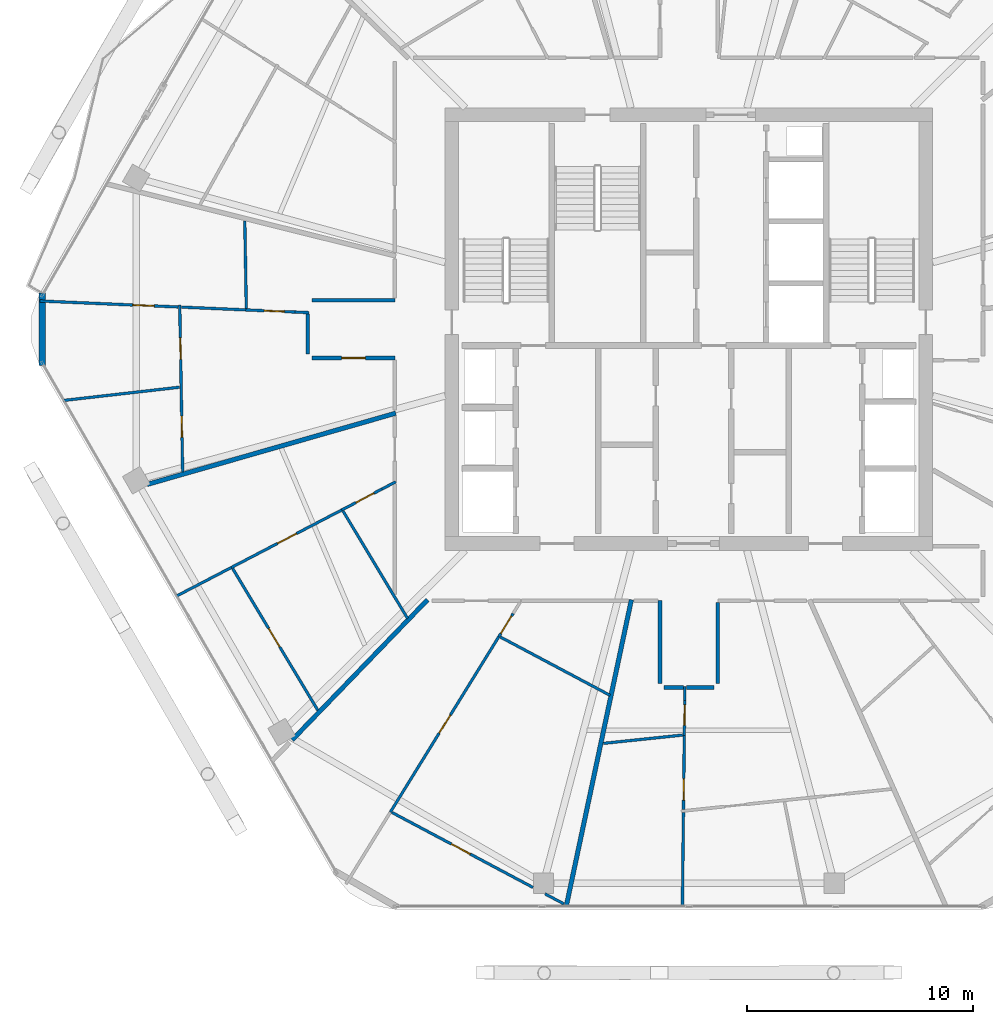
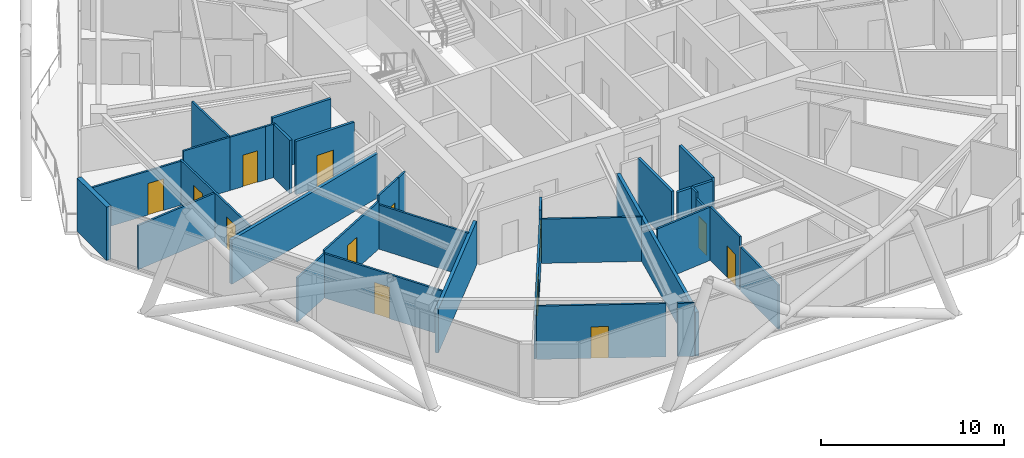
# One storey, part 20 of 29: 34 walls, 13 doors, 13 openings.
"""IFC4 building model written with IfcOpenShell, lengths in metres."""

from ifc_helpers import new_model, si_unit, direction, frame, frame_2d, origin, place, context, subcontext, project, spatial, rectangle, extrude, material, layer, layer_set, type_object, element, fill, save


model = new_model("IFC4")

# Units and contexts
model_context = context("Model", 3, precision=1e-05, world=origin(), true_north=direction((0.0, 1.0)))
body_context = subcontext(model_context, "Body", "Model", "MODEL_VIEW")
ifc_project = project(units=[si_unit("LENGTHUNIT", "METRE"), si_unit("AREAUNIT", "SQUARE_METRE"), si_unit("VOLUMEUNIT", "CUBIC_METRE"), si_unit("PLANEANGLEUNIT", "RADIAN"), si_unit("MASSUNIT", "GRAM", prefix="KILO")], contexts=[model_context])

# Site, building, storey
site_placement = place(None, origin())
site = spatial("IfcSite", under=ifc_project, at=site_placement, CompositionType="ELEMENT")
building_placement = place(site_placement, origin())
building = spatial("IfcBuilding", under=site, at=building_placement, Name="Zuhravey Tower", CompositionType="ELEMENT")
storey_placement = place(building_placement, frame((0.0, 0.0, 246.39990234375)))
storey = spatial("IfcBuildingStorey", under=building, at=storey_placement, Name="L62", CompositionType="ELEMENT", Elevation=246.39990234375)

# Wall, opening, door
ifc_material_1 = material(Name="Gypsum fire-rated stud partition")
ifc_layer_1 = layer(ifc_material_1, 0.159912109375)
ifc_layer_set_1 = layer_set([ifc_layer_1], Name="Gypsum fire-rated stud partition")
wall_type_1 = type_object("IfcWallType", Name="Corridor Fire Partition 160", PredefinedType="PARTITIONING", material=ifc_layer_set_1)
wall_1_placement = place(storey_placement, frame((19.300048828125, 30.719970703125, 0.0), z_axis=(0.0, 0.0, 1.0), x_axis=(1.0, 0.0, 0.0)))
wall_1 = element("IfcWall", 1, at=wall_1_placement, inside=storey, type_object=wall_type_1, Name="L62 IW16 Partition 034", PredefinedType="PARTITIONING", context=body_context, shape_type="SweptSolid", body=[
    extrude(rectangle(XDim=3.669921875, YDim=0.159912109375, at=frame_2d((1.8349609375, 0.0))), origin(), (0.0, 0.0, 1.0), 3.550048828125),
])
opening_1_placement = place(wall_1_placement, frame((1.31005859375, 0.0, 0.0)))
opening_1 = element("IfcOpeningElement", 2, at=opening_1_placement, cuts=wall_1, Name="Opening APD1", PredefinedType="OPENING", context=body_context, shape_type="SweptSolid", body=[
    extrude(rectangle(XDim=1.050048828125, YDim=2.14990234375, at=frame_2d((0.52490234375, 1.074951171875))), frame((0.0, 0.092041015625, 0.0), z_axis=(0.0, -1.0, 0.0), x_axis=(1.0, 0.0, 0.0)), (0.0, 0.0, 1.0), 0.183837890625),
])
ifc_material_2 = material(Name="Solid-core oak fire-rated leaf")
door_type_1 = type_object("IfcDoorType", Name="Apartment Entrance Fire Door 1050x2150", OperationType="NOTDEFINED", PredefinedType="DOOR", material=ifc_material_2)
door_1_placement = place(opening_1_placement, frame((1.050048828125, 0.0, 0.0), z_axis=(0.0, 0.0, 1.0), x_axis=(-1.0, 0.0, 0.0)))
door_1 = element("IfcDoor", 3, at=door_1_placement, inside=storey, type_object=door_type_1, Name="L62 Door 034.1", OperationType="SINGLE_SWING_LEFT", OverallHeight=2.14990234375, OverallWidth=1.050048828125, PredefinedType="DOOR", context=body_context, shape_type="SweptSolid", body=[
    extrude(rectangle(XDim=1.050048828125, YDim=2.14990234375, at=frame_2d((0.52490234375, 1.074951171875))), frame((0.0, 0.02490234375, 0.0), z_axis=(0.0, -1.0, 0.0), x_axis=(1.0, 0.0, 0.0)), (0.0, 0.0, 1.0), 0.050048828125),
])
fill(opening_1, door_1)

# Walls
wall_2_placement = place(storey_placement, frame((19.1201171875, 32.6630859375, 0.0), z_axis=(0.0, 0.0, 1.0), x_axis=(0.0, -1.0, 0.0)))
element("IfcWall", 4, at=wall_2_placement, inside=storey, type_object=wall_type_1, Name="L62 IW16 Partition 125", PredefinedType="PARTITIONING", context=body_context, shape_type="SweptSolid", body=[
    extrude(rectangle(XDim=1.76318359375, YDim=0.159912109375, at=frame_2d((0.881591796875, 0.0))), origin(), (0.0, 0.0, 1.0), 3.550048828125),
])
wall_3_placement = place(storey_placement, frame((22.969970703125, 33.280029296875, 0.0), z_axis=(0.0, 0.0, 1.0), x_axis=(-1.0, 0.0, 0.0)))
element("IfcWall", 5, at=wall_3_placement, inside=storey, type_object=wall_type_1, Name="L62 IW16 Partition 126", PredefinedType="PARTITIONING", context=body_context, shape_type="SweptSolid", body=[
    extrude(rectangle(XDim=3.669921875, YDim=0.159912109375, at=frame_2d((1.8349609375, 0.0))), origin(), (0.0, 0.0, 1.0), 3.550048828125),
])
wall_4_placement = place(storey_placement, frame((37.280029296875, 16.300048828125, 0.0), z_axis=(0.0, 0.0, 1.0), x_axis=(0.0, 1.0, 0.0)))
element("IfcWall", 6, at=wall_4_placement, inside=storey, type_object=wall_type_1, Name="L62 IW16 Partition 130", PredefinedType="PARTITIONING", context=body_context, shape_type="SweptSolid", body=[
    extrude(rectangle(XDim=3.58203125, YDim=0.159912109375, at=frame_2d((1.791015625, 0.0))), origin(), (0.0, 0.0, 1.0), 3.550048828125),
])
wall_5_placement = place(storey_placement, frame((35.8876953125, 16.1201171875, 0.0), z_axis=(0.0, 0.0, 1.0), x_axis=(1.0, 0.0, 0.0)))
element("IfcWall", 7, at=wall_5_placement, inside=storey, type_object=wall_type_1, Name="L62 IW16 Partition 131", PredefinedType="PARTITIONING", context=body_context, shape_type="SweptSolid", body=[
    extrude(rectangle(XDim=1.21240234375, YDim=0.159912109375, at=frame_2d((0.606201171875, 0.0))), origin(), (0.0, 0.0, 1.0), 3.550048828125),
])
wall_6_placement = place(storey_placement, frame((34.719970703125, 19.969970703125, 0.0), z_axis=(0.0, 0.0, 1.0), x_axis=(0.0, -1.0, 0.0)))
element("IfcWall", 8, at=wall_6_placement, inside=storey, type_object=wall_type_1, Name="L62 IW16 Partition 132", PredefinedType="PARTITIONING", context=body_context, shape_type="SweptSolid", body=[
    extrude(rectangle(XDim=3.669921875, YDim=0.159912109375, at=frame_2d((1.8349609375, 0.0))), origin(), (0.0, 0.0, 1.0), 3.550048828125),
])
wall_7_placement = place(storey_placement, frame((34.89990234375, 16.1201171875, 0.0), z_axis=(0.0, 0.0, 1.0), x_axis=(1.0, 0.0, 0.0)))
element("IfcWall", 9, at=wall_7_placement, inside=storey, type_object=wall_type_1, Name="L62 IW16 Partition 134", PredefinedType="PARTITIONING", context=body_context, shape_type="SweptSolid", body=[
    extrude(rectangle(XDim=0.851806640625, YDim=0.159912109375, at=frame_2d((0.42578125, 0.0))), origin(), (0.0, 0.0, 1.0), 3.550048828125),
])
ifc_material_3 = material(Name="Precast concrete C40/50", Category="concrete")
ifc_layer_2 = layer(ifc_material_3, 0.280029296875)
ifc_layer_set_2 = layer_set([ifc_layer_2], Name="Precast concrete C40/50")
wall_type_2 = type_object("IfcWallType", Name="Crown Architectural Wall 280", PredefinedType="SOLIDWALL", material=ifc_layer_set_2)
wall_8_placement = place(storey_placement, frame((7.35498046875, 30.392578125, 0.0), z_axis=(0.0, 0.0, 1.0), x_axis=(0.0, 1.0, 0.0)))
element("IfcWall", 10, at=wall_8_placement, inside=storey, type_object=wall_type_2, Name="L62 Rounded Corner Closure Wall EW28-06", PredefinedType="SOLIDWALL", context=body_context, shape_type="SweptSolid", body=[
    extrude(rectangle(XDim=3.21484375, YDim=0.280029296875, at=frame_2d((1.607421875, 0.0))), origin(), (0.0, 0.0, 1.0), 3.550048828125),
])
ifc_material_4 = material(Name="Gypsum double-stud party assembly")
ifc_layer_3 = layer(ifc_material_4, 0.199951171875)
ifc_layer_set_3 = layer_set([ifc_layer_3], Name="Gypsum double-stud party assembly")
wall_type_3 = type_object("IfcWallType", Name="Inter-Tenancy Party Wall 200", PredefinedType="PARTITIONING", material=ifc_layer_set_3)
wall_9_placement = place(storey_placement, frame((23.010009765625, 28.275146484375, 0.0), z_axis=(0.0, 0.0, 1.0), x_axis=(-0.961263244987, -0.275631953585, 0.0)))
element("IfcWall", 11, at=wall_9_placement, inside=storey, type_object=wall_type_3, Name="L62 IW20 Partition 086", PredefinedType="PARTITIONING", context=body_context, shape_type="SweptSolid", body=[
    extrude(rectangle(XDim=11.46875, YDim=0.199951171875, at=frame_2d((5.734375, 0.0))), origin(), (0.0, 0.0, 1.0), 2.9501953125),
])
wall_10_placement = place(storey_placement, frame((24.42138671875, 20.010009765625, 0.0), z_axis=(0.0, 0.0, 1.0), x_axis=(-0.694650551067, -0.719347351355, 0.0)))
element("IfcWall", 12, at=wall_10_placement, inside=storey, type_object=wall_type_3, Name="L62 IW20 Partition 090", PredefinedType="PARTITIONING", context=body_context, shape_type="SweptSolid", body=[
    extrude(rectangle(XDim=8.630126953125, YDim=0.199951171875, at=frame_2d((4.31494140625, 0.0))), origin(), (0.0, 0.0, 1.0), 2.93017578125),
])
wall_11_placement = place(storey_placement, frame((33.451416015625, 20.010009765625, 0.0), z_axis=(0.0, 0.0, 1.0), x_axis=(-0.207899576005, -0.978150175738, 0.0)))
element("IfcWall", 13, at=wall_11_placement, inside=storey, type_object=wall_type_3, Name="L62 IW20 Partition 096", PredefinedType="PARTITIONING", context=body_context, shape_type="SweptSolid", body=[
    extrude(rectangle(XDim=13.876953125, YDim=0.199951171875, at=frame_2d((6.9384765625, 0.0))), origin(), (0.0, 0.0, 1.0), 2.93017578125),
])

# Wall, openings, doors
ifc_material_5 = material(Name="Gypsum metal-stud partition")
ifc_layer_4 = layer(ifc_material_5, 0.1201171875)
ifc_layer_set_4 = layer_set([ifc_layer_4], Name="Gypsum metal-stud partition")
wall_type_4 = type_object("IfcWallType", Name="Unit Internal Partition 120", PredefinedType="PARTITIONING", material=ifc_layer_set_4)
wall_12_placement = place(storey_placement, frame((13.440185546875, 33.0771484375, 0.0), z_axis=(0.0, 0.0, 1.0), x_axis=(0.01747984643, -0.999847215813, 0.0)))
wall_12 = element("IfcWall", 14, at=wall_12_placement, inside=storey, type_object=wall_type_4, Name="L62 IW12 Partition 030", PredefinedType="PARTITIONING", context=body_context, shape_type="SweptSolid", body=[
    extrude(rectangle(XDim=7.402587890625, YDim=0.1201171875, at=frame_2d((3.701171875, 0.0))), origin(), (0.0, 0.0, 1.0), 2.9501953125),
])
opening_2_placement = place(wall_12_placement, frame((1.468017578125, 0.0, 0.0)))
opening_2 = element("IfcOpeningElement", 15, at=opening_2_placement, cuts=wall_12, Name="Opening IND1", PredefinedType="OPENING", context=body_context, shape_type="SweptSolid", body=[
    extrude(rectangle(XDim=0.949951171875, YDim=2.10009765625, at=frame_2d((0.47509765625, 1.050048828125))), frame((0.0, 0.072021484375, 0.0), z_axis=(0.0, -1.0, 0.0), x_axis=(1.0, 0.0, 0.0)), (0.0, 0.0, 1.0), 0.14404296875),
])
opening_3_placement = place(wall_12_placement, frame((4.9287109375, 0.0, 0.0)))
opening_3 = element("IfcOpeningElement", 16, at=opening_3_placement, cuts=wall_12, Name="Opening IND1", PredefinedType="OPENING", context=body_context, shape_type="SweptSolid", body=[
    extrude(rectangle(XDim=0.949951171875, YDim=2.10009765625, at=frame_2d((0.47509765625, 1.050048828125))), frame((0.0, 0.072021484375, 0.0), z_axis=(0.0, -1.0, 0.0), x_axis=(1.0, 0.0, 0.0)), (0.0, 0.0, 1.0), 0.14404296875),
])
ifc_material_6 = material(Name="Painted engineered timber leaf", Category="wood")
door_type_2 = type_object("IfcDoorType", Name="Internal Room & Bedroom Door 950x2100", OperationType="NOTDEFINED", PredefinedType="DOOR", material=ifc_material_6)
door_2_placement = place(opening_2_placement, frame((0.949951171875, 0.0, 0.0), z_axis=(0.0, 0.0, 1.0), x_axis=(-1.0, 0.0, 0.0)))
door_2 = element("IfcDoor", 17, at=door_2_placement, inside=storey, type_object=door_type_2, Name="Apartment L62-03 Family Study Door", OperationType="SINGLE_SWING_LEFT", OverallHeight=2.10009765625, OverallWidth=0.949951171875, PredefinedType="DOOR", context=body_context, shape_type="SweptSolid", body=[
    extrude(rectangle(XDim=0.949951171875, YDim=2.10009765625, at=frame_2d((0.47509765625, 1.050048828125))), frame((0.0, 0.02490234375, 0.0), z_axis=(0.0, -1.0, 0.0), x_axis=(1.0, 0.0, 0.0)), (0.0, 0.0, 1.0), 0.050048828125),
])
fill(opening_2, door_2)
door_3_placement = place(opening_3_placement, frame((0.949951171875, 0.0, 0.0), z_axis=(0.0, 0.0, 1.0), x_axis=(-1.0, 0.0, 0.0)))
door_3 = element("IfcDoor", 18, at=door_3_placement, inside=storey, type_object=door_type_2, Name="Apartment L62-03 Dining Room Door", OperationType="SINGLE_SWING_RIGHT", OverallHeight=2.10009765625, OverallWidth=0.949951171875, PredefinedType="DOOR", context=body_context, shape_type="SweptSolid", body=[
    extrude(rectangle(XDim=0.949951171875, YDim=2.10009765625, at=frame_2d((0.47509765625, 1.050048828125))), frame((0.0, 0.02490234375, 0.0), z_axis=(0.0, -1.0, 0.0), x_axis=(1.0, 0.0, 0.0)), (0.0, 0.0, 1.0), 0.050048828125),
])
fill(opening_3, door_3)

# Wall, opening, door
wall_13_placement = place(storey_placement, frame((18.550048828125, 32.755859375, 0.0), z_axis=(0.0, 0.0, 1.0), x_axis=(-0.999065825158, 0.04321431478, 0.0)))
wall_13 = element("IfcWall", 19, at=wall_13_placement, inside=storey, type_object=wall_type_4, Name="L62 IW12 Partition 031", PredefinedType="PARTITIONING", context=body_context, shape_type="SweptSolid", body=[
    extrude(rectangle(XDim=2.186279296875, YDim=0.1201171875, at=frame_2d((1.09326171875, 0.0))), origin(), (0.0, 0.0, 1.0), 3.550048828125),
])
opening_4_placement = place(wall_13_placement, frame((0.46826171875, 0.0, 0.0)))
opening_4 = element("IfcOpeningElement", 20, at=opening_4_placement, cuts=wall_13, Name="Opening WCD1", PredefinedType="OPENING", context=body_context, shape_type="SweptSolid", body=[
    extrude(rectangle(XDim=0.89990234375, YDim=2.10009765625, at=frame_2d((0.449951171875, 1.050048828125))), frame((0.0, 0.072021484375, 0.0), z_axis=(0.0, -1.0, 0.0), x_axis=(1.0, 0.0, 0.0)), (0.0, 0.0, 1.0), 0.14404296875),
])
ifc_material_7 = material(Name="Moisture-resistant timber leaf", Category="wood")
door_type_3 = type_object("IfcDoorType", Name="Bathroom & WC Internal Door 900x2100", OperationType="NOTDEFINED", PredefinedType="DOOR", material=ifc_material_7)
door_4_placement = place(opening_4_placement, frame((0.89990234375, 0.0, 0.0), z_axis=(0.0, 0.0, 1.0), x_axis=(-1.0, 0.0, 0.0)))
door_4 = element("IfcDoor", 21, at=door_4_placement, inside=storey, type_object=door_type_3, Name="Apartment L62-03 Bathroom Door", OperationType="SINGLE_SWING_LEFT", OverallHeight=2.10009765625, OverallWidth=0.89990234375, PredefinedType="DOOR", context=body_context, shape_type="SweptSolid", body=[
    extrude(rectangle(XDim=0.89990234375, YDim=2.10009765625, at=frame_2d((0.449951171875, 1.050048828125))), frame((0.0, 0.02490234375, 0.0), z_axis=(0.0, -1.0, 0.0), x_axis=(1.0, 0.0, 0.0)), (0.0, 0.0, 1.0), 0.050048828125),
])
fill(opening_4, door_4)

# Wall
wall_14_placement = place(storey_placement, frame((16.36572265625, 32.850341796875, 0.0), z_axis=(0.0, 0.0, 1.0), x_axis=(-0.999061951001, 0.043303788079, 0.0)))
element("IfcWall", 22, at=wall_14_placement, inside=storey, type_object=wall_type_4, Name="L62 IW12 Partition 032", PredefinedType="PARTITIONING", context=body_context, shape_type="SweptSolid", body=[
    extrude(rectangle(XDim=2.8583984375, YDim=0.1201171875, at=frame_2d((1.42919921875, 0.0))), origin(), (0.0, 0.0, 1.0), 3.550048828125),
])

# Wall, opening, door
wall_15_placement = place(storey_placement, frame((13.3740234375, 32.97998046875, 0.0), z_axis=(0.0, 0.0, 1.0), x_axis=(-0.999064479772, 0.043245407351, 0.0)))
wall_15 = element("IfcWall", 23, at=wall_15_placement, inside=storey, type_object=wall_type_4, Name="L62 IW12 Partition 033", PredefinedType="PARTITIONING", context=body_context, shape_type="SweptSolid", body=[
    extrude(rectangle(XDim=6.130859375, YDim=0.1201171875, at=frame_2d((3.0654296875, 0.0))), origin(), (0.0, 0.0, 1.0), 2.93017578125),
])
opening_5_placement = place(wall_15_placement, frame((1.068115234375, 0.0, 0.0)))
opening_5 = element("IfcOpeningElement", 24, at=opening_5_placement, cuts=wall_15, Name="Opening IND1", PredefinedType="OPENING", context=body_context, shape_type="SweptSolid", body=[
    extrude(rectangle(XDim=0.949951171875, YDim=2.10009765625, at=frame_2d((0.47509765625, 1.050048828125))), frame((0.0, 0.072021484375, 0.0), z_axis=(0.0, -1.0, 0.0), x_axis=(1.0, 0.0, 0.0)), (0.0, 0.0, 1.0), 0.14404296875),
])
door_5_placement = place(opening_5_placement, frame((0.949951171875, 0.0, 0.0), z_axis=(0.0, 0.0, 1.0), x_axis=(-1.0, 0.0, 0.0)))
door_5 = element("IfcDoor", 25, at=door_5_placement, inside=storey, type_object=door_type_2, Name="Apartment L62-03 Kitchen Door", OperationType="SINGLE_SWING_RIGHT", OverallHeight=2.10009765625, OverallWidth=0.949951171875, PredefinedType="DOOR", context=body_context, shape_type="SweptSolid", body=[
    extrude(rectangle(XDim=0.949951171875, YDim=2.10009765625, at=frame_2d((0.47509765625, 1.050048828125))), frame((0.0, 0.02490234375, 0.0), z_axis=(0.0, -1.0, 0.0), x_axis=(1.0, 0.0, 0.0)), (0.0, 0.0, 1.0), 0.050048828125),
])
fill(opening_5, door_5)

wall_16_placement = place(storey_placement, frame((22.39990234375, 24.914306640625, 0.0), z_axis=(0.0, 0.0, 1.0), x_axis=(-0.886792724396, -0.462167354926, 0.0)))
wall_16 = element("IfcWall", 26, at=wall_16_placement, inside=storey, type_object=wall_type_4, Name="L62 IW12 Partition 035", PredefinedType="PARTITIONING", context=body_context, shape_type="SweptSolid", body=[
    extrude(rectangle(XDim=2.009521484375, YDim=0.1201171875, at=frame_2d((1.0048828125, 0.0))), origin(), (0.0, 0.0, 1.0), 3.550048828125),
])
opening_6_placement = place(wall_16_placement, frame((0.39404296875, 0.0, 0.0)))
opening_6 = element("IfcOpeningElement", 27, at=opening_6_placement, cuts=wall_16, Name="Opening WCD1", PredefinedType="OPENING", context=body_context, shape_type="SweptSolid", body=[
    extrude(rectangle(XDim=0.89990234375, YDim=2.10009765625, at=frame_2d((0.449951171875, 1.050048828125))), frame((0.0, 0.072021484375, 0.0), z_axis=(0.0, -1.0, 0.0), x_axis=(1.0, 0.0, 0.0)), (0.0, 0.0, 1.0), 0.14404296875),
])
door_6_placement = place(opening_6_placement, origin())
door_6 = element("IfcDoor", 28, at=door_6_placement, inside=storey, type_object=door_type_3, Name="Apartment L62-04 Bathroom Door", OperationType="SINGLE_SWING_RIGHT", OverallHeight=2.10009765625, OverallWidth=0.89990234375, PredefinedType="DOOR", context=body_context, shape_type="SweptSolid", body=[
    extrude(rectangle(XDim=0.89990234375, YDim=2.10009765625, at=frame_2d((0.449951171875, 1.050048828125))), frame((0.0, 0.02490234375, 0.0), z_axis=(0.0, -1.0, 0.0), x_axis=(1.0, 0.0, 0.0)), (0.0, 0.0, 1.0), 0.050048828125),
])
fill(opening_6, door_6)

wall_17_placement = place(storey_placement, frame((20.617919921875, 23.98583984375, 0.0), z_axis=(0.0, 0.0, 1.0), x_axis=(-0.886846806797, -0.462063568434, 0.0)))
wall_17 = element("IfcWall", 29, at=wall_17_placement, inside=storey, type_object=wall_type_4, Name="L62 IW12 Partition 036", PredefinedType="PARTITIONING", context=body_context, shape_type="SweptSolid", body=[
    extrude(rectangle(XDim=5.51416015625, YDim=0.1201171875, at=frame_2d((2.757080078125, 0.0))), origin(), (0.0, 0.0, 1.0), 3.150146484375),
])
opening_7_placement = place(wall_17_placement, frame((2.2568359375, 0.0, 0.0)))
opening_7 = element("IfcOpeningElement", 30, at=opening_7_placement, cuts=wall_17, Name="Opening IND1", PredefinedType="OPENING", context=body_context, shape_type="SweptSolid", body=[
    extrude(rectangle(XDim=0.949951171875, YDim=2.10009765625, at=frame_2d((0.47509765625, 1.050048828125))), frame((0.0, 0.072021484375, 0.0), z_axis=(0.0, -1.0, 0.0), x_axis=(1.0, 0.0, 0.0)), (0.0, 0.0, 1.0), 0.14404296875),
])
door_7_placement = place(opening_7_placement, origin())
door_7 = element("IfcDoor", 31, at=door_7_placement, inside=storey, type_object=door_type_2, Name="Apartment L62-04 Home Office Door", OperationType="SINGLE_SWING_LEFT", OverallHeight=2.10009765625, OverallWidth=0.949951171875, PredefinedType="DOOR", context=body_context, shape_type="SweptSolid", body=[
    extrude(rectangle(XDim=0.949951171875, YDim=2.10009765625, at=frame_2d((0.47509765625, 1.050048828125))), frame((0.0, 0.02490234375, 0.0), z_axis=(0.0, -1.0, 0.0), x_axis=(1.0, 0.0, 0.0)), (0.0, 0.0, 1.0), 0.050048828125),
])
fill(opening_7, door_7)

wall_18_placement = place(storey_placement, frame((15.78515625, 21.39111328125, 0.0), z_axis=(0.0, 0.0, 1.0), x_axis=(0.515050233646, -0.857159994879, 0.0)))
wall_18 = element("IfcWall", 32, at=wall_18_placement, inside=storey, type_object=wall_type_4, Name="L62 IW12 Partition 037", PredefinedType="PARTITIONING", context=body_context, shape_type="SweptSolid", body=[
    extrude(rectangle(XDim=7.3154296875, YDim=0.1201171875, at=frame_2d((3.65771484375, 0.0))), origin(), (0.0, 0.0, 1.0), 2.9501953125),
])
opening_8_placement = place(wall_18_placement, frame((3.0986328125, 0.0, 0.0)))
opening_8 = element("IfcOpeningElement", 33, at=opening_8_placement, cuts=wall_18, Name="Opening IND1", PredefinedType="OPENING", context=body_context, shape_type="SweptSolid", body=[
    extrude(rectangle(XDim=0.949951171875, YDim=2.10009765625, at=frame_2d((0.47509765625, 1.050048828125))), frame((0.0, 0.072021484375, 0.0), z_axis=(0.0, -1.0, 0.0), x_axis=(1.0, 0.0, 0.0)), (0.0, 0.0, 1.0), 0.14404296875),
])
door_8_placement = place(opening_8_placement, frame((0.949951171875, 0.0, 0.0), z_axis=(0.0, 0.0, 1.0), x_axis=(-1.0, 0.0, 0.0)))
door_8 = element("IfcDoor", 34, at=door_8_placement, inside=storey, type_object=door_type_2, Name="Apartment L62-04 Kitchen Door", OperationType="SINGLE_SWING_RIGHT", OverallHeight=2.10009765625, OverallWidth=0.949951171875, PredefinedType="DOOR", context=body_context, shape_type="SweptSolid", body=[
    extrude(rectangle(XDim=0.949951171875, YDim=2.10009765625, at=frame_2d((0.47509765625, 1.050048828125))), frame((0.0, 0.02490234375, 0.0), z_axis=(0.0, -1.0, 0.0), x_axis=(1.0, 0.0, 0.0)), (0.0, 0.0, 1.0), 0.050048828125),
])
fill(opening_8, door_8)

wall_19_placement = place(storey_placement, frame((28.2119140625, 19.39990234375, 0.0), z_axis=(0.0, 0.0, 1.0), x_axis=(-0.525724166979, -0.850655100646, 0.0)))
wall_19 = element("IfcWall", 35, at=wall_19_placement, inside=storey, type_object=wall_type_4, Name="L62 IW12 Partition 039", PredefinedType="PARTITIONING", context=body_context, shape_type="SweptSolid", body=[
    extrude(rectangle(XDim=1.21337890625, YDim=0.1201171875, at=frame_2d((0.606689453125, 0.0))), origin(), (0.0, 0.0, 1.0), 3.550048828125),
])
opening_9_placement = place(wall_19_placement, frame((0.139892578125, 0.0, 0.0)))
opening_9 = element("IfcOpeningElement", 36, at=opening_9_placement, cuts=wall_19, Name="Opening WCD1", PredefinedType="OPENING", context=body_context, shape_type="SweptSolid", body=[
    extrude(rectangle(XDim=0.89990234375, YDim=2.10009765625, at=frame_2d((0.449951171875, 1.050048828125))), frame((0.0, 0.072021484375, 0.0), z_axis=(0.0, -1.0, 0.0), x_axis=(1.0, 0.0, 0.0)), (0.0, 0.0, 1.0), 0.14404296875),
])
door_9_placement = place(opening_9_placement, origin())
door_9 = element("IfcDoor", 37, at=door_9_placement, inside=storey, type_object=door_type_3, Name="Apartment L62-05 Bathroom Door", OperationType="SINGLE_SWING_RIGHT", OverallHeight=2.10009765625, OverallWidth=0.89990234375, PredefinedType="DOOR", context=body_context, shape_type="SweptSolid", body=[
    extrude(rectangle(XDim=0.89990234375, YDim=2.10009765625, at=frame_2d((0.449951171875, 1.050048828125))), frame((0.0, 0.02490234375, 0.0), z_axis=(0.0, -1.0, 0.0), x_axis=(1.0, 0.0, 0.0)), (0.0, 0.0, 1.0), 0.050048828125),
])
fill(opening_9, door_9)

wall_20_placement = place(storey_placement, frame((27.573974609375, 18.36767578125, 0.0), z_axis=(0.0, 0.0, 1.0), x_axis=(-0.525774998316, -0.850623683626, 0.0)))
wall_20 = element("IfcWall", 38, at=wall_20_placement, inside=storey, type_object=wall_type_4, Name="L62 IW12 Partition 040", PredefinedType="PARTITIONING", context=body_context, shape_type="SweptSolid", body=[
    extrude(rectangle(XDim=9.137451171875, YDim=0.1201171875, at=frame_2d((4.56884765625, 0.0))), origin(), (0.0, 0.0, 1.0), 2.93017578125),
])
opening_10_placement = place(wall_20_placement, frame((4.068603515625, 0.0, 0.0)))
opening_10 = element("IfcOpeningElement", 39, at=opening_10_placement, cuts=wall_20, Name="Opening IND1", PredefinedType="OPENING", context=body_context, shape_type="SweptSolid", body=[
    extrude(rectangle(XDim=0.949951171875, YDim=2.10009765625, at=frame_2d((0.47509765625, 1.050048828125))), frame((0.0, 0.072021484375, 0.0), z_axis=(0.0, -1.0, 0.0), x_axis=(1.0, 0.0, 0.0)), (0.0, 0.0, 1.0), 0.14404296875),
])
door_10_placement = place(opening_10_placement, origin())
door_10 = element("IfcDoor", 40, at=door_10_placement, inside=storey, type_object=door_type_2, Name="Apartment L62-05 Home Office Door", OperationType="SINGLE_SWING_LEFT", OverallHeight=2.10009765625, OverallWidth=0.949951171875, PredefinedType="DOOR", context=body_context, shape_type="SweptSolid", body=[
    extrude(rectangle(XDim=0.949951171875, YDim=2.10009765625, at=frame_2d((0.47509765625, 1.050048828125))), frame((0.0, 0.02490234375, 0.0), z_axis=(0.0, -1.0, 0.0), x_axis=(1.0, 0.0, 0.0)), (0.0, 0.0, 1.0), 0.050048828125),
])
fill(opening_10, door_10)

wall_21_placement = place(storey_placement, frame((22.843017578125, 10.58447265625, 0.0), z_axis=(0.0, 0.0, 1.0), x_axis=(0.882936922094, -0.469491631026, 0.0)))
wall_21 = element("IfcWall", 41, at=wall_21_placement, inside=storey, type_object=wall_type_4, Name="L62 IW12 Partition 041", PredefinedType="PARTITIONING", context=body_context, shape_type="SweptSolid", body=[
    extrude(rectangle(XDim=7.07421875, YDim=0.1201171875, at=frame_2d((3.537109375, 0.0))), origin(), (0.0, 0.0, 1.0), 3.550048828125),
])
opening_11_placement = place(wall_21_placement, frame((2.977783203125, 0.0, 0.0)))
opening_11 = element("IfcOpeningElement", 42, at=opening_11_placement, cuts=wall_21, Name="Opening IND1", PredefinedType="OPENING", context=body_context, shape_type="SweptSolid", body=[
    extrude(rectangle(XDim=0.949951171875, YDim=2.10009765625, at=frame_2d((0.47509765625, 1.050048828125))), frame((0.0, 0.072021484375, 0.0), z_axis=(0.0, -1.0, 0.0), x_axis=(1.0, 0.0, 0.0)), (0.0, 0.0, 1.0), 0.14404296875),
])
door_11_placement = place(opening_11_placement, frame((0.949951171875, 0.0, 0.0), z_axis=(0.0, 0.0, 1.0), x_axis=(-1.0, 0.0, 0.0)))
door_11 = element("IfcDoor", 43, at=door_11_placement, inside=storey, type_object=door_type_2, Name="Apartment L62-05 Kitchen Door", OperationType="SINGLE_SWING_RIGHT", OverallHeight=2.10009765625, OverallWidth=0.949951171875, PredefinedType="DOOR", context=body_context, shape_type="SweptSolid", body=[
    extrude(rectangle(XDim=0.949951171875, YDim=2.10009765625, at=frame_2d((0.47509765625, 1.050048828125))), frame((0.0, 0.02490234375, 0.0), z_axis=(0.0, -1.0, 0.0), x_axis=(1.0, 0.0, 0.0)), (0.0, 0.0, 1.0), 0.050048828125),
])
fill(opening_11, door_11)

wall_22_placement = place(storey_placement, frame((35.813232421875, 15.550048828125, 0.0), z_axis=(0.0, 0.0, 1.0), x_axis=(-0.011312915226, -0.999936006927, 0.0)))
wall_22 = element("IfcWall", 44, at=wall_22_placement, inside=storey, type_object=wall_type_4, Name="L62 IW12 Partition 044", PredefinedType="PARTITIONING", context=body_context, shape_type="SweptSolid", body=[
    extrude(rectangle(XDim=1.5537109375, YDim=0.1201171875, at=frame_2d((0.77685546875, 0.0))), origin(), (0.0, 0.0, 1.0), 3.150146484375),
])
opening_12_placement = place(wall_22_placement, frame((0.20263671875, 0.0, 0.0)))
opening_12 = element("IfcOpeningElement", 45, at=opening_12_placement, cuts=wall_22, Name="Opening WCD1", PredefinedType="OPENING", context=body_context, shape_type="SweptSolid", body=[
    extrude(rectangle(XDim=0.89990234375, YDim=2.10009765625, at=frame_2d((0.449951171875, 1.050048828125))), frame((0.0, 0.072021484375, 0.0), z_axis=(0.0, -1.0, 0.0), x_axis=(1.0, 0.0, 0.0)), (0.0, 0.0, 1.0), 0.14404296875),
])
door_12_placement = place(opening_12_placement, frame((0.89990234375, 0.0, 0.0), z_axis=(0.0, 0.0, 1.0), x_axis=(-1.0, 0.0, 0.0)))
door_12 = element("IfcDoor", 46, at=door_12_placement, inside=storey, type_object=door_type_3, Name="Apartment L62-06 Bathroom Door", OperationType="SINGLE_SWING_RIGHT", OverallHeight=2.10009765625, OverallWidth=0.89990234375, PredefinedType="DOOR", context=body_context, shape_type="SweptSolid", body=[
    extrude(rectangle(XDim=0.89990234375, YDim=2.10009765625, at=frame_2d((0.449951171875, 1.050048828125))), frame((0.0, 0.02490234375, 0.0), z_axis=(0.0, -1.0, 0.0), x_axis=(1.0, 0.0, 0.0)), (0.0, 0.0, 1.0), 0.050048828125),
])
fill(opening_12, door_12)

wall_23_placement = place(storey_placement, frame((35.795654296875, 13.996337890625, 0.0), z_axis=(0.0, 0.0, 1.0), x_axis=(-0.011329872819, -0.999935814931, 0.0)))
wall_23 = element("IfcWall", 47, at=wall_23_placement, inside=storey, type_object=wall_type_4, Name="L62 IW12 Partition 045", PredefinedType="PARTITIONING", context=body_context, shape_type="SweptSolid", body=[
    extrude(rectangle(XDim=3.275390625, YDim=0.1201171875, at=frame_2d((1.6376953125, 0.0))), origin(), (0.0, 0.0, 1.0), 3.550048828125),
])
opening_13_placement = place(wall_23_placement, frame((1.911865234375, 0.0, 0.0)))
opening_13 = element("IfcOpeningElement", 48, at=opening_13_placement, cuts=wall_23, Name="Opening IND1", PredefinedType="OPENING", context=body_context, shape_type="SweptSolid", body=[
    extrude(rectangle(XDim=0.949951171875, YDim=2.10009765625, at=frame_2d((0.47509765625, 1.050048828125))), frame((0.0, 0.072021484375, 0.0), z_axis=(0.0, -1.0, 0.0), x_axis=(1.0, 0.0, 0.0)), (0.0, 0.0, 1.0), 0.14404296875),
])
door_13_placement = place(opening_13_placement, frame((0.949951171875, 0.0, 0.0), z_axis=(0.0, 0.0, 1.0), x_axis=(-1.0, 0.0, 0.0)))
door_13 = element("IfcDoor", 49, at=door_13_placement, inside=storey, type_object=door_type_2, Name="Apartment L62-06 Bedroom 1 Door", OperationType="SINGLE_SWING_LEFT", OverallHeight=2.10009765625, OverallWidth=0.949951171875, PredefinedType="DOOR", context=body_context, shape_type="SweptSolid", body=[
    extrude(rectangle(XDim=0.949951171875, YDim=2.10009765625, at=frame_2d((0.47509765625, 1.050048828125))), frame((0.0, 0.02490234375, 0.0), z_axis=(0.0, -1.0, 0.0), x_axis=(1.0, 0.0, 0.0)), (0.0, 0.0, 1.0), 0.050048828125),
])
fill(opening_13, door_13)

# Walls
wall_24_placement = place(storey_placement, frame((35.757080078125, 10.584228515625, 0.0), z_axis=(0.0, 0.0, 1.0), x_axis=(-0.011345536626, -0.999935637328, 0.0)))
element("IfcWall", 50, at=wall_24_placement, inside=storey, type_object=wall_type_4, Name="L62 IW12 Partition 046", PredefinedType="PARTITIONING", context=body_context, shape_type="SweptSolid", body=[
    extrude(rectangle(XDim=4.153076171875, YDim=0.1201171875, at=frame_2d((2.07666015625, 0.0))), origin(), (0.0, 0.0, 1.0), 2.93017578125),
])
wall_25_placement = place(storey_placement, frame((13.43603515625, 29.42529296875, 0.0), z_axis=(0.0, 0.0, 1.0), x_axis=(-0.99355159017, -0.11338094051, 0.0)))
element("IfcWall", 51, at=wall_25_placement, inside=storey, type_object=wall_type_4, Name="L62 IW12 Partition 083", PredefinedType="PARTITIONING", context=body_context, shape_type="SweptSolid", body=[
    extrude(rectangle(XDim=5.19580078125, YDim=0.1201171875, at=frame_2d((2.597900390625, 0.0))), origin(), (0.0, 0.0, 1.0), 2.93017578125),
])
wall_26_placement = place(storey_placement, frame((19.1650390625, 32.72900390625, 0.0), z_axis=(0.0, 0.0, 1.0), x_axis=(-0.999047908993, 0.043626546244, 0.0)))
element("IfcWall", 52, at=wall_26_placement, inside=storey, type_object=wall_type_4, Name="L62 IW12 Partition 084", PredefinedType="PARTITIONING", context=body_context, shape_type="SweptSolid", body=[
    extrude(rectangle(XDim=0.615478515625, YDim=0.1201171875, at=frame_2d((0.3076171875, 0.0))), origin(), (0.0, 0.0, 1.0), 3.550048828125),
])
wall_27_placement = place(storey_placement, frame((16.322021484375, 36.794921875, 0.0), z_axis=(0.0, 0.0, 1.0), x_axis=(0.017438476192, -0.999847938213, 0.0)))
element("IfcWall", 53, at=wall_27_placement, inside=storey, type_object=wall_type_4, Name="L62 IW12 Partition 085", PredefinedType="PARTITIONING", context=body_context, shape_type="SweptSolid", body=[
    extrude(rectangle(XDim=3.8779296875, YDim=0.1201171875, at=frame_2d((1.93896484375, 0.0))), origin(), (0.0, 0.0, 1.0), 3.550048828125),
])
wall_28_placement = place(storey_placement, frame((23.01220703125, 25.233154296875, 0.0), z_axis=(0.0, 0.0, 1.0), x_axis=(-0.886950303541, -0.461864870983, 0.0)))
element("IfcWall", 54, at=wall_28_placement, inside=storey, type_object=wall_type_4, Name="L62 IW12 Partition 087", PredefinedType="PARTITIONING", context=body_context, shape_type="SweptSolid", body=[
    extrude(rectangle(XDim=0.6904296875, YDim=0.1201171875, at=frame_2d((0.34521484375, 0.0))), origin(), (0.0, 0.0, 1.0), 3.550048828125),
])
wall_29_placement = place(storey_placement, frame((15.727783203125, 21.43798828125, 0.0), z_axis=(0.0, 0.0, 1.0), x_axis=(-0.886855386052, -0.462047101745, 0.0)))
element("IfcWall", 55, at=wall_29_placement, inside=storey, type_object=wall_type_4, Name="L62 IW12 Partition 088", PredefinedType="PARTITIONING", context=body_context, shape_type="SweptSolid", body=[
    extrude(rectangle(XDim=2.73388671875, YDim=0.1201171875, at=frame_2d((1.366943359375, 0.0))), origin(), (0.0, 0.0, 1.0), 2.93017578125),
])
wall_30_placement = place(storey_placement, frame((20.675048828125, 23.938720703125, 0.0), z_axis=(0.0, 0.0, 1.0), x_axis=(0.515057714927, -0.857155499483, 0.0)))
element("IfcWall", 56, at=wall_30_placement, inside=storey, type_object=wall_type_4, Name="L62 IW12 Partition 089", PredefinedType="PARTITIONING", context=body_context, shape_type="SweptSolid", body=[
    extrude(rectangle(XDim=5.55712890625, YDim=0.1201171875, at=frame_2d((2.778564453125, 0.0))), origin(), (0.0, 0.0, 1.0), 2.9501953125),
])
wall_31_placement = place(storey_placement, frame((27.647216796875, 18.356689453125, 0.0), z_axis=(0.0, 0.0, 1.0), x_axis=(0.882946751735, -0.469473144706, 0.0)))
element("IfcWall", 57, at=wall_31_placement, inside=storey, type_object=wall_type_4, Name="L62 IW12 Partition 094", PredefinedType="PARTITIONING", context=body_context, shape_type="SweptSolid", body=[
    extrude(rectangle(XDim=5.501953125, YDim=0.1201171875, at=frame_2d((2.7509765625, 0.0))), origin(), (0.0, 0.0, 1.0), 2.9501953125),
])
wall_32_placement = place(storey_placement, frame((29.628662109375, 6.976318359375, 0.0), z_axis=(0.0, 0.0, 1.0), x_axis=(0.883014643107, -0.46934543788, 0.0)))
element("IfcWall", 58, at=wall_32_placement, inside=storey, type_object=wall_type_4, Name="L62 IW12 Partition 095", PredefinedType="PARTITIONING", context=body_context, shape_type="SweptSolid", body=[
    extrude(rectangle(XDim=0.9384765625, YDim=0.1201171875, at=frame_2d((0.46923828125, 0.0))), origin(), (0.0, 0.0, 1.0), 3.550048828125),
])
wall_33_placement = place(storey_placement, frame((35.8203125, 16.1650390625, 0.0), z_axis=(0.0, 0.0, 1.0), x_axis=(-0.011511742117, -0.999933737701, 0.0)))
element("IfcWall", 59, at=wall_33_placement, inside=storey, type_object=wall_type_4, Name="L62 IW12 Partition 098", PredefinedType="PARTITIONING", context=body_context, shape_type="SweptSolid", body=[
    extrude(rectangle(XDim=0.614990234375, YDim=0.1201171875, at=frame_2d((0.3076171875, 0.0))), origin(), (0.0, 0.0, 1.0), 3.550048828125),
])
wall_34_placement = place(storey_placement, frame((32.208740234375, 13.64453125, 0.0), z_axis=(0.0, 0.0, 1.0), x_axis=(0.99452169774, 0.10453034356, 0.0)))
element("IfcWall", 60, at=wall_34_placement, inside=storey, type_object=wall_type_4, Name="L62 IW12 Partition 099", PredefinedType="PARTITIONING", context=body_context, shape_type="SweptSolid", body=[
    extrude(rectangle(XDim=3.538330078125, YDim=0.1201171875, at=frame_2d((1.76904296875, 0.0))), origin(), (0.0, 0.0, 1.0), 3.550048828125),
])

save(model, "model.ifc")
